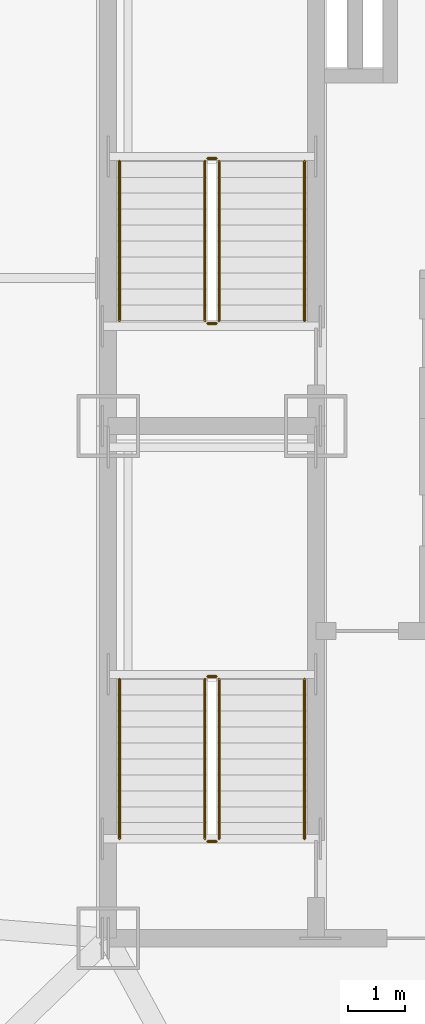
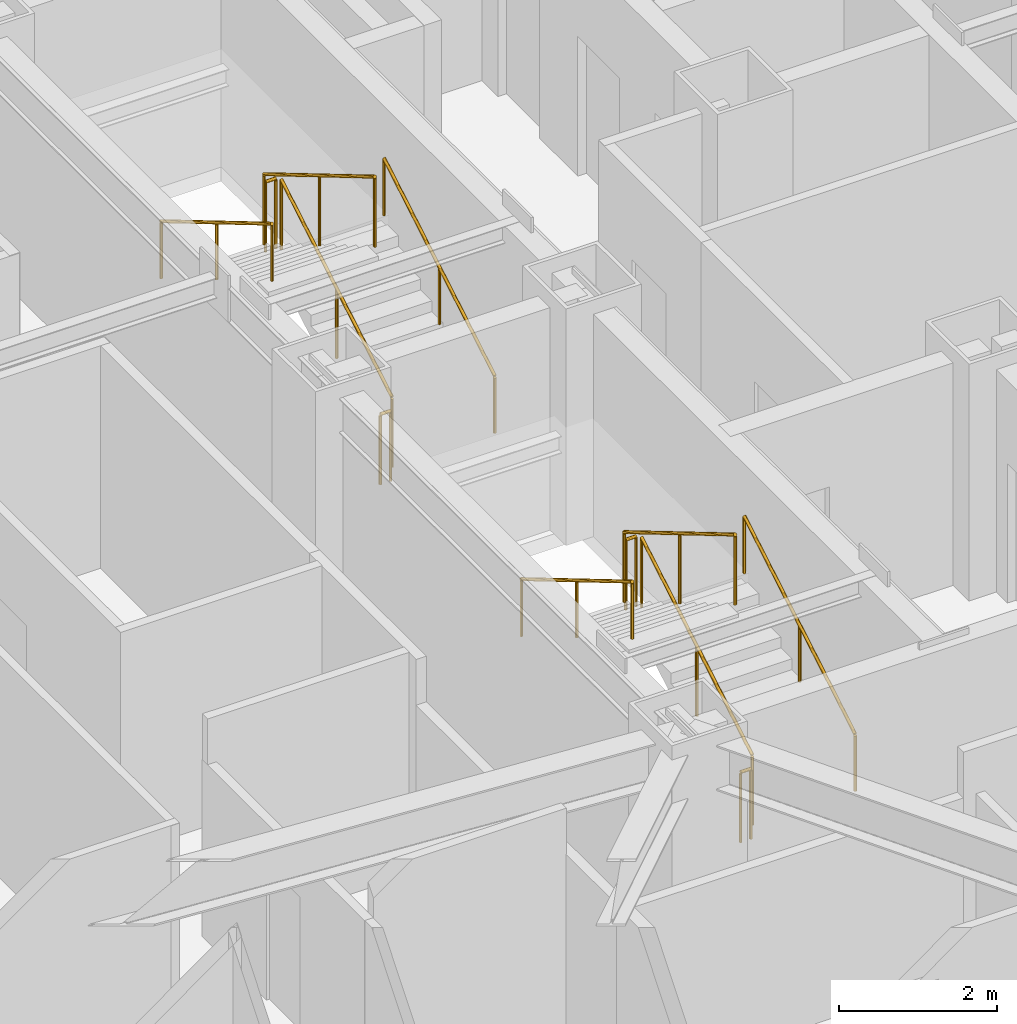
# One storey, part 11 of 11: 12 railings.
"""IFC4 building model written with IfcOpenShell, lengths in metres."""

from ifc_helpers import new_model, si_unit, direction, frame, origin, origin_2d, place, context, subcontext, project, spatial, circle, extrude, material, type_object, element, save


model = new_model("IFC4")

# Units and contexts
model_context = context("Model", 3, precision=1e-05, world=origin(), true_north=direction((0.0, 1.0)))
body_context = subcontext(model_context, "Body", "Model", "MODEL_VIEW")
ifc_project = project(units=[si_unit("LENGTHUNIT", "METRE"), si_unit("AREAUNIT", "SQUARE_METRE"), si_unit("VOLUMEUNIT", "CUBIC_METRE"), si_unit("PLANEANGLEUNIT", "RADIAN"), si_unit("MASSUNIT", "GRAM", prefix="KILO")], contexts=[model_context])

# Site, building, storey
site_placement = place(None, origin())
site = spatial("IfcSite", under=ifc_project, at=site_placement, CompositionType="ELEMENT")
building_placement = place(site_placement, origin())
building = spatial("IfcBuilding", under=site, at=building_placement, Name="Khamvora Tower", CompositionType="ELEMENT")
storey_placement = place(building_placement, frame((0.0, 0.0, 185.10009765625)))
storey = spatial("IfcBuildingStorey", under=building, at=storey_placement, Name="L47", CompositionType="ELEMENT", Elevation=185.10009765625)

# Railings
ifc_material_1 = material(Name="Brushed Stainless Steel 316", Category="steel")
railing_type_1 = type_object("IfcRailingType", Name="RAL-HDR-920", PredefinedType="HANDRAIL", material=ifc_material_1)
railing_1_placement = place(storey_placement, frame((32.449951171875, 20.75, 0.165771484375)))
element("IfcRailing", 1, at=railing_1_placement, inside=storey, type_object=railing_type_1, Name="L47 ST-01 stair handrail 1", PredefinedType="HANDRAIL", context=body_context, shape_type="SweptSolid", body=[
    extrude(circle(Radius=0.02392578125, at=origin_2d()), frame((0.0, 0.0, 0.8759765625), z_axis=(0.0, 0.860306154799, 0.50977771628), x_axis=(-1.0, 0.0, 0.0)), (0.0, 0.0, 1.0), 3.254638671875),
    extrude(circle(Radius=0.02099609375, at=origin_2d()), origin(), (0.0, 0.0, 1.0), 0.851806640625),
    extrude(circle(Radius=0.02099609375, at=origin_2d()), frame((0.0, 1.39990234375, 0.82958984375)), (0.0, 0.0, 1.0), 0.851806640625),
    extrude(circle(Radius=0.02099609375, at=origin_2d()), frame((0.0, 2.800048828125, 1.6591796875)), (0.0, 0.0, 1.0), 0.851806640625),
])
railing_2_placement = place(storey_placement, frame((29.199951171875, 23.550048828125, 1.99072265625)))
element("IfcRailing", 2, at=railing_2_placement, inside=storey, type_object=railing_type_1, Name="L47 ST-01 stair handrail 2", PredefinedType="HANDRAIL", context=body_context, shape_type="SweptSolid", body=[
    extrude(circle(Radius=0.02392578125, at=origin_2d()), frame((0.0, 0.0, 0.8759765625), z_axis=(0.0, -0.860306154799, 0.50977771628), x_axis=(1.0, 0.0, 0.0)), (0.0, 0.0, 1.0), 3.254638671875),
    extrude(circle(Radius=0.02099609375, at=origin_2d()), origin(), (0.0, 0.0, 1.0), 0.851806640625),
    extrude(circle(Radius=0.02099609375, at=origin_2d()), frame((0.0, -1.39990234375, 0.82958984375)), (0.0, 0.0, 1.0), 0.851806640625),
    extrude(circle(Radius=0.02099609375, at=origin_2d()), frame((0.0, -2.800048828125, 1.6591796875)), (0.0, 0.0, 1.0), 0.851806640625),
])
railing_3_placement = place(storey_placement, frame((32.449951171875, 29.85009765625, 0.165771484375)))
element("IfcRailing", 3, at=railing_3_placement, inside=storey, type_object=railing_type_1, Name="L47 ST-02 stair handrail 1", PredefinedType="HANDRAIL", context=body_context, shape_type="SweptSolid", body=[
    extrude(circle(Radius=0.02392578125, at=origin_2d()), frame((0.0, 0.0, 0.8759765625), z_axis=(0.0, 0.860286659441, 0.509810615413), x_axis=(-1.0, 0.0, 0.0)), (0.0, 0.0, 1.0), 3.25439453125),
    extrude(circle(Radius=0.02099609375, at=origin_2d()), origin(), (0.0, 0.0, 1.0), 0.851806640625),
    extrude(circle(Radius=0.02099609375, at=origin_2d()), frame((0.0, 1.39990234375, 0.82958984375)), (0.0, 0.0, 1.0), 0.851806640625),
    extrude(circle(Radius=0.02099609375, at=origin_2d()), frame((0.0, 2.7998046875, 1.6591796875)), (0.0, 0.0, 1.0), 0.851806640625),
])
railing_4_placement = place(storey_placement, frame((29.199951171875, 32.64990234375, 1.99072265625)))
element("IfcRailing", 4, at=railing_4_placement, inside=storey, type_object=railing_type_1, Name="L47 ST-02 stair handrail 2", PredefinedType="HANDRAIL", context=body_context, shape_type="SweptSolid", body=[
    extrude(circle(Radius=0.02392578125, at=origin_2d()), frame((0.0, 0.0, 0.8759765625), z_axis=(0.0, -0.860286659441, 0.509810615413), x_axis=(1.0, 0.0, 0.0)), (0.0, 0.0, 1.0), 3.25439453125),
    extrude(circle(Radius=0.02099609375, at=origin_2d()), origin(), (0.0, 0.0, 1.0), 0.851806640625),
    extrude(circle(Radius=0.02099609375, at=origin_2d()), frame((0.0, -1.39990234375, 0.82958984375)), (0.0, 0.0, 1.0), 0.851806640625),
    extrude(circle(Radius=0.02099609375, at=origin_2d()), frame((0.0, -2.7998046875, 1.6591796875)), (0.0, 0.0, 1.0), 0.851806640625),
])
ifc_material_2 = material(Name="Stainless Steel 316", Category="steel")
railing_type_2 = type_object("IfcRailingType", Name="RAL-STG-1100", PredefinedType="GUARDRAIL", material=ifc_material_2)
railing_5_placement = place(storey_placement, frame((30.949951171875, 20.75, 0.165771484375)))
element("IfcRailing", 5, at=railing_5_placement, inside=storey, type_object=railing_type_2, Name="L47 ST-01 stair guard 1", PredefinedType="GUARDRAIL", context=body_context, shape_type="SweptSolid", body=[
    extrude(circle(Radius=0.02392578125, at=origin_2d()), frame((0.0, 0.0, 1.076171875), z_axis=(0.0, 0.860306154799, 0.50977771628), x_axis=(-1.0, 0.0, 0.0)), (0.0, 0.0, 1.0), 3.254638671875),
    extrude(circle(Radius=0.02099609375, at=origin_2d()), origin(), (0.0, 0.0, 1.0), 1.052001953125),
    extrude(circle(Radius=0.02099609375, at=origin_2d()), frame((0.0, 1.39990234375, 0.82958984375)), (0.0, 0.0, 1.0), 1.052001953125),
    extrude(circle(Radius=0.02099609375, at=origin_2d()), frame((0.0, 2.800048828125, 1.6591796875)), (0.0, 0.0, 1.0), 1.052001953125),
])
railing_6_placement = place(storey_placement, frame((30.89990234375, 23.60009765625, 1.824951171875)))
element("IfcRailing", 6, at=railing_6_placement, inside=storey, type_object=railing_type_2, Name="L47 ST-01 stair guard 2", PredefinedType="GUARDRAIL", context=body_context, shape_type="SweptSolid", body=[
    extrude(circle(Radius=0.02392578125, at=origin_2d()), frame((0.0, 0.0, 1.076171875), z_axis=(-1.0, 0.0, 0.0), x_axis=(0.0, -1.0, 0.0)), (0.0, 0.0, 1.0), 0.14990234375),
    extrude(circle(Radius=0.02099609375, at=origin_2d()), origin(), (0.0, 0.0, 1.0), 1.052001953125),
    extrude(circle(Radius=0.02099609375, at=origin_2d()), frame((-0.14990234375, 0.0, 0.0)), (0.0, 0.0, 1.0), 1.052001953125),
])
railing_7_placement = place(storey_placement, frame((30.699951171875, 23.550048828125, 1.99072265625)))
element("IfcRailing", 7, at=railing_7_placement, inside=storey, type_object=railing_type_2, Name="L47 ST-01 stair guard 3", PredefinedType="GUARDRAIL", context=body_context, shape_type="SweptSolid", body=[
    extrude(circle(Radius=0.02392578125, at=origin_2d()), frame((0.0, 0.0, 1.076171875), z_axis=(0.0, -0.860306154799, 0.50977771628), x_axis=(1.0, 0.0, 0.0)), (0.0, 0.0, 1.0), 3.254638671875),
    extrude(circle(Radius=0.02099609375, at=origin_2d()), origin(), (0.0, 0.0, 1.0), 1.052001953125),
    extrude(circle(Radius=0.02099609375, at=origin_2d()), frame((0.0, -1.39990234375, 0.82958984375)), (0.0, 0.0, 1.0), 1.052001953125),
    extrude(circle(Radius=0.02099609375, at=origin_2d()), frame((0.0, -2.800048828125, 1.6591796875)), (0.0, 0.0, 1.0), 1.052001953125),
])
railing_8_placement = place(storey_placement, frame((30.89990234375, 20.699951171875, 0.0)))
element("IfcRailing", 8, at=railing_8_placement, inside=storey, type_object=railing_type_2, Name="L47 ST-01 stair guard 4", PredefinedType="GUARDRAIL", context=body_context, shape_type="SweptSolid", body=[
    extrude(circle(Radius=0.02392578125, at=origin_2d()), frame((0.0, 0.0, 1.076171875), z_axis=(-1.0, 0.0, 0.0), x_axis=(0.0, -1.0, 0.0)), (0.0, 0.0, 1.0), 0.14990234375),
    extrude(circle(Radius=0.02099609375, at=origin_2d()), origin(), (0.0, 0.0, 1.0), 1.052001953125),
    extrude(circle(Radius=0.02099609375, at=origin_2d()), frame((-0.14990234375, 0.0, 0.0)), (0.0, 0.0, 1.0), 1.052001953125),
])
railing_9_placement = place(storey_placement, frame((30.949951171875, 29.85009765625, 0.165771484375)))
element("IfcRailing", 9, at=railing_9_placement, inside=storey, type_object=railing_type_2, Name="L47 ST-02 stair guard 1", PredefinedType="GUARDRAIL", context=body_context, shape_type="SweptSolid", body=[
    extrude(circle(Radius=0.02392578125, at=origin_2d()), frame((0.0, 0.0, 1.076171875), z_axis=(0.0, 0.860286659441, 0.509810615413), x_axis=(-1.0, 0.0, 0.0)), (0.0, 0.0, 1.0), 3.25439453125),
    extrude(circle(Radius=0.02099609375, at=origin_2d()), origin(), (0.0, 0.0, 1.0), 1.052001953125),
    extrude(circle(Radius=0.02099609375, at=origin_2d()), frame((0.0, 1.39990234375, 0.82958984375)), (0.0, 0.0, 1.0), 1.052001953125),
    extrude(circle(Radius=0.02099609375, at=origin_2d()), frame((0.0, 2.7998046875, 1.6591796875)), (0.0, 0.0, 1.0), 1.052001953125),
])
railing_10_placement = place(storey_placement, frame((30.89990234375, 32.699951171875, 1.824951171875)))
element("IfcRailing", 10, at=railing_10_placement, inside=storey, type_object=railing_type_2, Name="L47 ST-02 stair guard 2", PredefinedType="GUARDRAIL", context=body_context, shape_type="SweptSolid", body=[
    extrude(circle(Radius=0.02392578125, at=origin_2d()), frame((0.0, 0.0, 1.076171875), z_axis=(-1.0, 0.0, 0.0), x_axis=(0.0, -1.0, 0.0)), (0.0, 0.0, 1.0), 0.14990234375),
    extrude(circle(Radius=0.02099609375, at=origin_2d()), origin(), (0.0, 0.0, 1.0), 1.052001953125),
    extrude(circle(Radius=0.02099609375, at=origin_2d()), frame((-0.14990234375, 0.0, 0.0)), (0.0, 0.0, 1.0), 1.052001953125),
])
railing_11_placement = place(storey_placement, frame((30.699951171875, 32.64990234375, 1.99072265625)))
element("IfcRailing", 11, at=railing_11_placement, inside=storey, type_object=railing_type_2, Name="L47 ST-02 stair guard 3", PredefinedType="GUARDRAIL", context=body_context, shape_type="SweptSolid", body=[
    extrude(circle(Radius=0.02392578125, at=origin_2d()), frame((0.0, 0.0, 1.076171875), z_axis=(0.0, -0.860286659441, 0.509810615413), x_axis=(1.0, 0.0, 0.0)), (0.0, 0.0, 1.0), 3.25439453125),
    extrude(circle(Radius=0.02099609375, at=origin_2d()), origin(), (0.0, 0.0, 1.0), 1.052001953125),
    extrude(circle(Radius=0.02099609375, at=origin_2d()), frame((0.0, -1.39990234375, 0.82958984375)), (0.0, 0.0, 1.0), 1.052001953125),
    extrude(circle(Radius=0.02099609375, at=origin_2d()), frame((0.0, -2.7998046875, 1.6591796875)), (0.0, 0.0, 1.0), 1.052001953125),
])
railing_12_placement = place(storey_placement, frame((30.89990234375, 29.800048828125, 0.0)))
element("IfcRailing", 12, at=railing_12_placement, inside=storey, type_object=railing_type_2, Name="L47 ST-02 stair guard 4", PredefinedType="GUARDRAIL", context=body_context, shape_type="SweptSolid", body=[
    extrude(circle(Radius=0.02392578125, at=origin_2d()), frame((0.0, 0.0, 1.076171875), z_axis=(-1.0, 0.0, 0.0), x_axis=(0.0, -1.0, 0.0)), (0.0, 0.0, 1.0), 0.14990234375),
    extrude(circle(Radius=0.02099609375, at=origin_2d()), origin(), (0.0, 0.0, 1.0), 1.052001953125),
    extrude(circle(Radius=0.02099609375, at=origin_2d()), frame((-0.14990234375, 0.0, 0.0)), (0.0, 0.0, 1.0), 1.052001953125),
])

save(model, "model.ifc")
